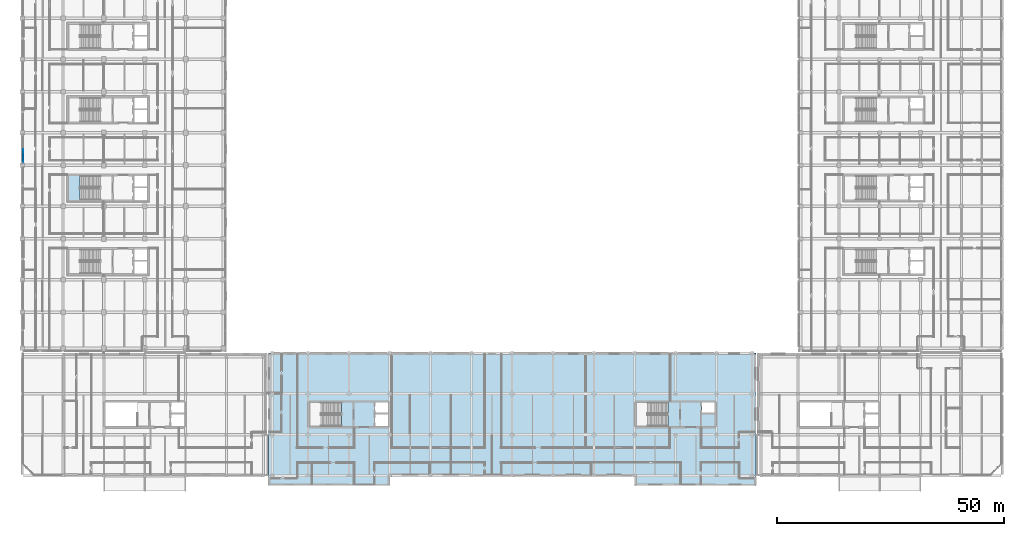
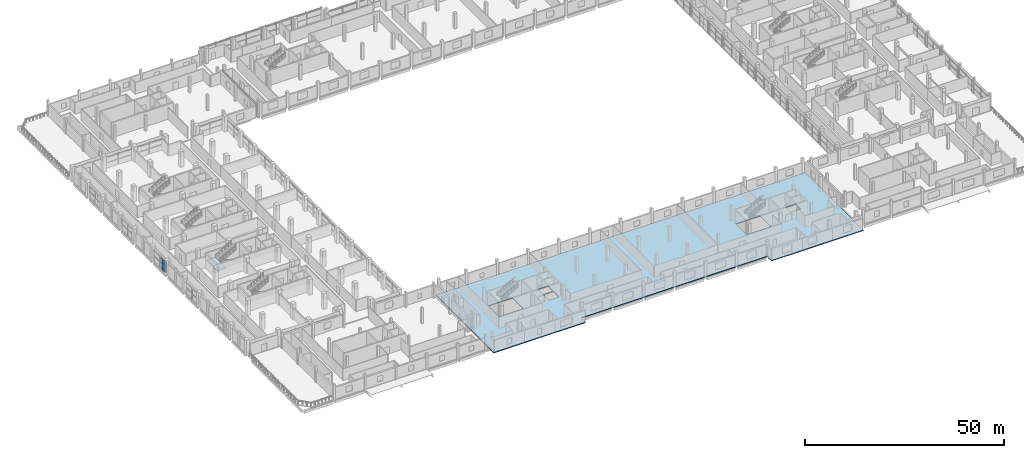
# One storey, part 54 of 111: 3 plates, 2 slabs, 2 elements without a shape of their own.
"""IFC4 building model written with IfcOpenShell, lengths in metres."""

from ifc_helpers import new_model, si_unit, direction, frame, origin, origin_2d, place, context, subcontext, project, spatial, polyline, rectangle, outline, extrude, material, layer, layer_set, type_object, element, aggregate, save


model = new_model("IFC4")

# Units and contexts
model_context = context("Model", 3, precision=1e-05, world=origin(), true_north=direction((0.0, 1.0)))
body_context = subcontext(model_context, "Body", "Model", "MODEL_VIEW")
ifc_project = project(units=[si_unit("LENGTHUNIT", "METRE"), si_unit("AREAUNIT", "SQUARE_METRE"), si_unit("VOLUMEUNIT", "CUBIC_METRE"), si_unit("PLANEANGLEUNIT", "RADIAN"), si_unit("MASSUNIT", "GRAM", prefix="KILO"), si_unit("THERMODYNAMICTEMPERATUREUNIT", "KELVIN"), si_unit("POWERUNIT", "WATT")], contexts=[model_context])

# Site, building, storey
site_placement = place(None, origin())
site = spatial("IfcSite", under=ifc_project, at=site_placement, CompositionType="ELEMENT")
building_placement = place(site_placement, origin())
building = spatial("IfcBuilding", under=site, at=building_placement, Name="Sindhuravela Promenade Stadium", CompositionType="ELEMENT")
storey_placement = place(building_placement, frame((0.0, 0.0, 9.60009765625)))
storey = spatial("IfcBuildingStorey", under=building, at=storey_placement, Name="L02", CompositionType="ELEMENT", Elevation=9.60009765625)

# Plate
ifc_material_1 = material(Name="Perforated terracotta celosia brick (15 MPa)", Category="masonry")
ifc_layer_1 = layer(ifc_material_1, 0.1650390625)
ifc_layer_set_1 = layer_set([ifc_layer_1], Name="Perforated terracotta celosia brick (15 MPa)")
plate_type_1 = type_object("IfcPlateType", Name="CL-SCR-04", PredefinedType="USERDEFINED", material=ifc_layer_set_1)
plate_1_placement = place(storey_placement, frame((0.1201171875, 79.2548828125, -0.000244140625), z_axis=(0.0, 0.0, 1.0), x_axis=(0.0, 1.0, 0.0)))
element("IfcPlate", 1, at=plate_1_placement, inside=storey, type_object=plate_type_1, Name="Perforated brick celosia screen WEST L02-7", ObjectType="SCREEN PANEL", PredefinedType="USERDEFINED", context=body_context, shape_type="SweptSolid", body=[
    extrude(rectangle(XDim=1.56005859375, YDim=0.1650390625, at=origin_2d()), origin(), (0.0, 0.0, 1.0), 3.580078125),
])

# Curtain wall, plates
ifc_material_2 = material(Name="Anodised architectural aluminium 6063-T6", Category="aluminium")
curtain_wall_type = type_object("IfcCurtainWallType", Name="CW-MOD-1", PredefinedType="NOTDEFINED", material=ifc_material_2)
curtain_wall_placement = place(storey_placement, origin())
curtain_wall = element("IfcCurtainWall", 2, at=curtain_wall_placement, inside=storey, type_object=curtain_wall_type, Name="Bronze curtain wall CW-WEST-L02-008", PredefinedType="NOTDEFINED")
ifc_material_3 = material(Name="Tempered laminated low-E glass", Category="glass")
ifc_layer_2 = layer(ifc_material_3, 0.028076171875)
ifc_layer_set_2 = layer_set([ifc_layer_2], Name="Tempered laminated low-E glass")
plate_type_2 = type_object("IfcPlateType", Name="CW-PNL-01", PredefinedType="CURTAIN_PANEL", material=ifc_layer_set_2)
plate_2_placement = place(storey_placement, frame((0.199951171875, 79.47509765625, 0.01513671875), z_axis=(0.0, 0.0, 1.0), x_axis=(0.0, 1.0, 0.0)))
plate_2 = element("IfcPlate", 3, at=plate_2_placement, type_object=plate_type_2, Name="Glazed curtain panel CW-WEST-L02-008-P1.1", PredefinedType="CURTAIN_PANEL", context=body_context, shape_type="SweptSolid", body=[
    extrude(rectangle(XDim=2.989990234375, YDim=0.028076171875, at=origin_2d()), origin(), (0.0, 0.0, 1.0), 1.760009765625),
])
plate_3_placement = place(storey_placement, frame((0.199951171875, 79.47509765625, 1.80517578125), z_axis=(0.0, 0.0, 1.0), x_axis=(0.0, 1.0, 0.0)))
plate_3 = element("IfcPlate", 4, at=plate_3_placement, type_object=plate_type_2, Name="Glazed curtain panel CW-WEST-L02-008-P1.2", PredefinedType="CURTAIN_PANEL", context=body_context, shape_type="SweptSolid", body=[
    extrude(rectangle(XDim=2.989990234375, YDim=0.028076171875, at=origin_2d()), origin(), (0.0, 0.0, 1.0), 1.679931640625),
])
aggregate(curtain_wall, [plate_2, plate_3])

# Slab
ifc_material_4 = material(Name="Concrete M40", Category="concrete")
ifc_layer_3 = layer(ifc_material_4, 0.280029296875)
ifc_layer_set_3 = layer_set([ifc_layer_3], Name="Concrete M40")
slab_type_1 = type_object("IfcSlabType", Name="SL-FLR-280", PredefinedType="FLOOR", material=ifc_layer_set_3)
slab_1_placement = place(storey_placement, frame((0.0, 0.0, -0.280029296875)))
element("IfcSlab", 5, at=slab_1_placement, inside=storey, type_object=slab_type_1, Name="Floor slab SOUTH L02", PredefinedType="FLOOR", context=body_context, shape_type="SweptSolid", body=[
    extrude(outline(polyline([(54.25, 9.0), (54.25, 6.800048828125), (81.0, 6.800048828125), (81.0, 9.0), (135.0, 9.0), (135.0, 6.800048828125), (161.75, 6.800048828125), (161.75, 36.0), (54.25, 36.0), (54.25, 9.0)]), holes=[polyline([(63.300048828125, 19.800048828125), (70.34912109375, 19.800048828125), (70.34912109375, 25.199951171875), (63.300048828125, 25.199951171875), (63.300048828125, 19.800048828125)]), polyline([(77.800048828125, 22.800048828125), (80.699951171875, 22.800048828125), (80.699951171875, 25.199951171875), (77.800048828125, 25.199951171875), (77.800048828125, 22.800048828125)]), polyline([(77.800048828125, 19.800048828125), (80.699951171875, 19.800048828125), (80.699951171875, 22.5), (77.800048828125, 22.5), (77.800048828125, 19.800048828125)]), polyline([(135.300048828125, 19.800048828125), (142.34912109375, 19.800048828125), (142.34912109375, 25.199951171875), (135.300048828125, 25.199951171875), (135.300048828125, 19.800048828125)]), polyline([(149.800048828125, 22.800048828125), (152.699951171875, 22.800048828125), (152.699951171875, 25.199951171875), (149.800048828125, 25.199951171875), (149.800048828125, 22.800048828125)])]), origin(), (0.0, 0.0, 1.0), 0.280029296875),
])

# Stair, slab
stair_type = type_object("IfcStairType", Name="ST-CORE-DOGLEG", PredefinedType="HALF_TURN_STAIR", material=ifc_material_4)
stair_placement = place(storey_placement, origin())
stair = element("IfcStair", 6, at=stair_placement, inside=storey, type_object=stair_type, Name="Protected escape stair ST02 (L02)", PredefinedType="HALF_TURN_STAIR")
ifc_layer_4 = layer(ifc_material_4, 0.219970703125)
ifc_layer_set_4 = layer_set([ifc_layer_4], Name="Concrete M40")
slab_type_2 = type_object("IfcSlabType", Name="SL-LND-220", PredefinedType="LANDING", material=ifc_layer_set_4)
slab_2_placement = place(storey_placement, frame((0.0, 0.0, 2.179931640625)))
slab_2 = element("IfcSlab", 7, at=slab_2_placement, type_object=slab_type_2, Name="Stair ST02 half-landing (L02)", PredefinedType="LANDING", context=body_context, shape_type="SweptSolid", body=[
    extrude(outline(polyline([(10.179931640625, 69.679931640625), (12.751953125, 69.679931640625), (12.751953125, 75.1201171875), (10.179931640625, 75.1201171875), (10.179931640625, 69.679931640625)])), origin(), (0.0, 0.0, 1.0), 0.219970703125),
])
aggregate(stair, [slab_2])

save(model, "model.ifc")
